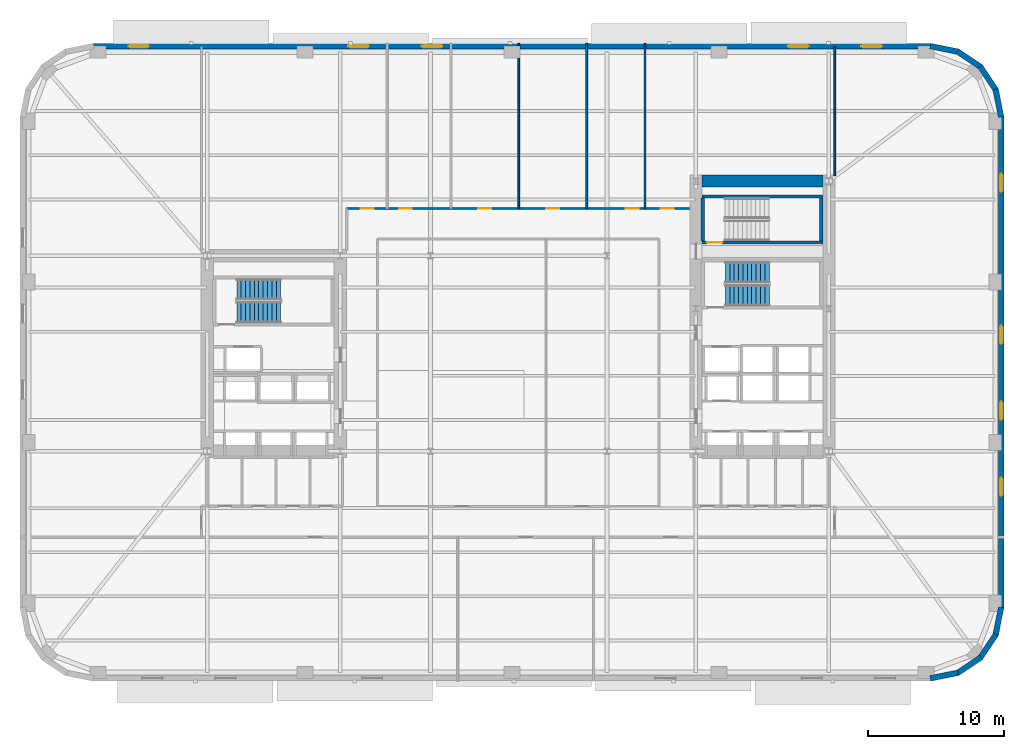
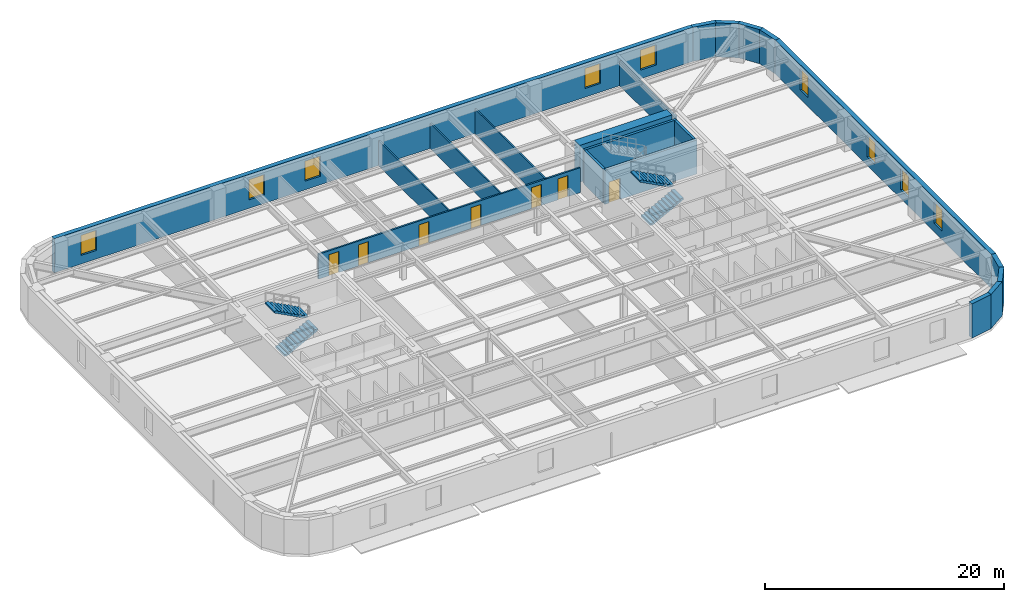
# One storey, part 7 of 15: 20 walls, 9 windows, 7 doors, 4 stair flights, 16 openings, 2 elements without a shape of their own.
"""IFC4 building model written with IfcOpenShell, lengths in metres."""

from ifc_helpers import new_model, si_unit, direction, frame, frame_2d, origin, place, context, subcontext, project, spatial, polyline, rectangle, outline, extrude, material, layer, layer_set, type_object, element, fill, aggregate, save


model = new_model("IFC4")

# Units and contexts
model_context = context("Model", 3, precision=1e-05, world=origin(), true_north=direction((0.0, 1.0)))
body_context = subcontext(model_context, "Body", "Model", "MODEL_VIEW")
ifc_project = project(units=[si_unit("LENGTHUNIT", "METRE"), si_unit("AREAUNIT", "SQUARE_METRE"), si_unit("VOLUMEUNIT", "CUBIC_METRE"), si_unit("PLANEANGLEUNIT", "RADIAN"), si_unit("MASSUNIT", "GRAM", prefix="KILO")], contexts=[model_context])

# Site, building, storey
site_placement = place(None, origin())
site = spatial("IfcSite", under=ifc_project, at=site_placement, CompositionType="ELEMENT")
building_placement = place(site_placement, origin())
building = spatial("IfcBuilding", under=site, at=building_placement, Name="Kolvaren Arena Tower", CompositionType="ELEMENT")
storey_placement = place(building_placement, frame((0.0, 0.0, 68.25)))
storey = spatial("IfcBuildingStorey", under=building, at=storey_placement, Name="L14", CompositionType="ELEMENT", Elevation=68.25)

# Wall, openings, doors
ifc_material_1 = material(Name="Gypsum board acoustic assembly", Category="gypsum")
ifc_layer_1 = layer(ifc_material_1, 0.159912109375)
ifc_layer_set_1 = layer_set([ifc_layer_1], Name="Gypsum board acoustic assembly")
wall_type_1 = type_object("IfcWallType", Name="CORR-160", PredefinedType="PARTITIONING", material=ifc_layer_set_1)
wall_1_placement = place(storey_placement, frame((24.820068359375, 37.320068359375, 0.0), z_axis=(0.0, 0.0, 1.0), x_axis=(1.0, 0.0, 0.0)))
wall_1 = element("IfcWall", 1, at=wall_1_placement, inside=storey, type_object=wall_type_1, Name="Interior Partition Wall (L14)", PredefinedType="PARTITIONING", context=body_context, shape_type="SweptSolid", body=[
    extrude(rectangle(XDim=25.260009765625, YDim=0.159912109375, at=frame_2d((12.6298828125, 0.0))), origin(), (0.0, 0.0, 1.0), 2.5400390625),
])
opening_1_placement = place(wall_1_placement, frame((1.030029296875, 0.0, 0.0)))
opening_1 = element("IfcOpeningElement", 2, at=opening_1_placement, cuts=wall_1, Name="Opening D05", PredefinedType="OPENING", context=body_context, shape_type="SweptSolid", body=[
    extrude(rectangle(XDim=0.949951171875, YDim=2.14990234375, at=frame_2d((0.47509765625, 1.074951171875))), frame((0.0, 0.08984375, 0.0), z_axis=(0.0, -1.0, 0.0), x_axis=(1.0, 0.0, 0.0)), (0.0, 0.0, 1.0), 0.179931640625),
])
opening_2_placement = place(wall_1_placement, frame((3.85498046875, 0.0, 0.0)))
opening_2 = element("IfcOpeningElement", 3, at=opening_2_placement, cuts=wall_1, Name="Opening D05", PredefinedType="OPENING", context=body_context, shape_type="SweptSolid", body=[
    extrude(rectangle(XDim=0.949951171875, YDim=2.14990234375, at=frame_2d((0.47509765625, 1.074951171875))), frame((0.0, 0.08984375, 0.0), z_axis=(0.0, -1.0, 0.0), x_axis=(1.0, 0.0, 0.0)), (0.0, 0.0, 1.0), 0.179931640625),
])
opening_3_placement = place(wall_1_placement, frame((9.705078125, 0.0, 0.0)))
opening_3 = element("IfcOpeningElement", 4, at=opening_3_placement, cuts=wall_1, Name="Opening D05", PredefinedType="OPENING", context=body_context, shape_type="SweptSolid", body=[
    extrude(rectangle(XDim=0.949951171875, YDim=2.14990234375, at=frame_2d((0.47509765625, 1.074951171875))), frame((0.0, 0.08984375, 0.0), z_axis=(0.0, -1.0, 0.0), x_axis=(1.0, 0.0, 0.0)), (0.0, 0.0, 1.0), 0.179931640625),
])
opening_4_placement = place(wall_1_placement, frame((14.705078125, 0.0, 0.0)))
opening_4 = element("IfcOpeningElement", 5, at=opening_4_placement, cuts=wall_1, Name="Opening D05", PredefinedType="OPENING", context=body_context, shape_type="SweptSolid", body=[
    extrude(rectangle(XDim=0.949951171875, YDim=2.14990234375, at=frame_2d((0.47509765625, 1.074951171875))), frame((0.0, 0.08984375, 0.0), z_axis=(0.0, -1.0, 0.0), x_axis=(1.0, 0.0, 0.0)), (0.0, 0.0, 1.0), 0.179931640625),
])
opening_5_placement = place(wall_1_placement, frame((20.554931640625, 0.0, 0.0)))
opening_5 = element("IfcOpeningElement", 6, at=opening_5_placement, cuts=wall_1, Name="Opening D05", PredefinedType="OPENING", context=body_context, shape_type="SweptSolid", body=[
    extrude(rectangle(XDim=0.949951171875, YDim=2.14990234375, at=frame_2d((0.47509765625, 1.074951171875))), frame((0.0, 0.08984375, 0.0), z_axis=(0.0, -1.0, 0.0), x_axis=(1.0, 0.0, 0.0)), (0.0, 0.0, 1.0), 0.179931640625),
])
opening_6_placement = place(wall_1_placement, frame((23.1298828125, 0.0, 0.0)))
opening_6 = element("IfcOpeningElement", 7, at=opening_6_placement, cuts=wall_1, Name="Opening D05", PredefinedType="OPENING", context=body_context, shape_type="SweptSolid", body=[
    extrude(rectangle(XDim=0.949951171875, YDim=2.14990234375, at=frame_2d((0.47509765625, 1.074951171875))), frame((0.0, 0.08984375, 0.0), z_axis=(0.0, -1.0, 0.0), x_axis=(1.0, 0.0, 0.0)), (0.0, 0.0, 1.0), 0.179931640625),
])
ifc_material_2 = material(Name="Solid-core oak acoustic office door", Category="wood")
door_type_1 = type_object("IfcDoorType", Name="DOOR-OF-095", OperationType="NOTDEFINED", PredefinedType="DOOR", material=ifc_material_2)
door_1_placement = place(opening_1_placement, origin())
door_1 = element("IfcDoor", 8, at=door_1_placement, inside=storey, type_object=door_type_1, Name="Technical Engineering Office Door (L14)", OperationType="SINGLE_SWING_LEFT", OverallHeight=2.14990234375, OverallWidth=0.949951171875, PredefinedType="DOOR", context=body_context, shape_type="SweptSolid", body=[
    extrude(rectangle(XDim=0.949951171875, YDim=2.14990234375, at=frame_2d((0.47509765625, 1.074951171875))), frame((0.0, 0.02490234375, 0.0), z_axis=(0.0, -1.0, 0.0), x_axis=(1.0, 0.0, 0.0)), (0.0, 0.0, 1.0), 0.050048828125),
])
fill(opening_1, door_1)
door_2_placement = place(opening_2_placement, origin())
door_2 = element("IfcDoor", 9, at=door_2_placement, inside=storey, type_object=door_type_1, Name="Boardroom Door (L14)", OperationType="SINGLE_SWING_RIGHT", OverallHeight=2.14990234375, OverallWidth=0.949951171875, PredefinedType="DOOR", context=body_context, shape_type="SweptSolid", body=[
    extrude(rectangle(XDim=0.949951171875, YDim=2.14990234375, at=frame_2d((0.47509765625, 1.074951171875))), frame((0.0, 0.02490234375, 0.0), z_axis=(0.0, -1.0, 0.0), x_axis=(1.0, 0.0, 0.0)), (0.0, 0.0, 1.0), 0.050048828125),
])
fill(opening_2, door_2)
door_3_placement = place(opening_3_placement, origin())
door_3 = element("IfcDoor", 10, at=door_3_placement, inside=storey, type_object=door_type_1, Name="Breakout Pantry and Kitchen Door (L14)", OperationType="SINGLE_SWING_LEFT", OverallHeight=2.14990234375, OverallWidth=0.949951171875, PredefinedType="DOOR", context=body_context, shape_type="SweptSolid", body=[
    extrude(rectangle(XDim=0.949951171875, YDim=2.14990234375, at=frame_2d((0.47509765625, 1.074951171875))), frame((0.0, 0.02490234375, 0.0), z_axis=(0.0, -1.0, 0.0), x_axis=(1.0, 0.0, 0.0)), (0.0, 0.0, 1.0), 0.050048828125),
])
fill(opening_3, door_3)
door_4_placement = place(opening_4_placement, origin())
door_4 = element("IfcDoor", 11, at=door_4_placement, inside=storey, type_object=door_type_1, Name="Executive Office Door (L14)", OperationType="SINGLE_SWING_RIGHT", OverallHeight=2.14990234375, OverallWidth=0.949951171875, PredefinedType="DOOR", context=body_context, shape_type="SweptSolid", body=[
    extrude(rectangle(XDim=0.949951171875, YDim=2.14990234375, at=frame_2d((0.47509765625, 1.074951171875))), frame((0.0, 0.02490234375, 0.0), z_axis=(0.0, -1.0, 0.0), x_axis=(1.0, 0.0, 0.0)), (0.0, 0.0, 1.0), 0.050048828125),
])
fill(opening_4, door_4)
door_5_placement = place(opening_5_placement, origin())
door_5 = element("IfcDoor", 12, at=door_5_placement, inside=storey, type_object=door_type_1, Name="Client Lounge Door (L14)", OperationType="SINGLE_SWING_LEFT", OverallHeight=2.14990234375, OverallWidth=0.949951171875, PredefinedType="DOOR", context=body_context, shape_type="SweptSolid", body=[
    extrude(rectangle(XDim=0.949951171875, YDim=2.14990234375, at=frame_2d((0.47509765625, 1.074951171875))), frame((0.0, 0.02490234375, 0.0), z_axis=(0.0, -1.0, 0.0), x_axis=(1.0, 0.0, 0.0)), (0.0, 0.0, 1.0), 0.050048828125),
])
fill(opening_5, door_5)
door_6_placement = place(opening_6_placement, origin())
door_6 = element("IfcDoor", 13, at=door_6_placement, inside=storey, type_object=door_type_1, Name="Executive Office Door (L14)", OperationType="SINGLE_SWING_RIGHT", OverallHeight=2.14990234375, OverallWidth=0.949951171875, PredefinedType="DOOR", context=body_context, shape_type="SweptSolid", body=[
    extrude(rectangle(XDim=0.949951171875, YDim=2.14990234375, at=frame_2d((0.47509765625, 1.074951171875))), frame((0.0, 0.02490234375, 0.0), z_axis=(0.0, -1.0, 0.0), x_axis=(1.0, 0.0, 0.0)), (0.0, 0.0, 1.0), 0.050048828125),
])
fill(opening_6, door_6)

# Walls
ifc_material_3 = material(Name="Concrete 80 MPa", Category="concrete")
ifc_layer_2 = layer(ifc_material_3, 0.89990234375)
ifc_layer_set_2 = layer_set([ifc_layer_2], Name="Concrete 80 MPa")
wall_type_2 = type_object("IfcWallType", Name="CWALL-900", PredefinedType="SHEAR", material=ifc_layer_set_2)
wall_2_placement = place(storey_placement, frame((51.0, 39.35009765625, -0.27001953125), z_axis=(0.0, 0.0, 1.0), x_axis=(1.0, 0.0, 0.0)))
element("IfcWall", 14, at=wall_2_placement, inside=storey, type_object=wall_type_2, Name="Core Shear Wall EC-NORTH (L14)", PredefinedType="SHEAR", context=body_context, shape_type="SweptSolid", body=[
    extrude(rectangle(XDim=8.89990234375, YDim=0.89990234375, at=frame_2d((4.449951171875, 0.0))), origin(), (0.0, 0.0, 1.0), 3.75),
])
ifc_material_4 = material(Name="Precast concrete C50/60", Category="concrete")
ifc_layer_3 = layer(ifc_material_4, 0.419921875)
ifc_layer_set_3 = layer_set([ifc_layer_3], Name="Precast concrete C50/60")
wall_type_3 = type_object("IfcWallType", Name="EXT-PIER1", PredefinedType="SOLIDWALL", material=ifc_layer_set_3)
for number, where, z_axis, x_axis, name in (
    (15, (69.87548828125, 3.1171875, 0.0), (0.0, 0.0, 1.0), (-0.9807762837, -0.195135546048, 0.0), "Exterior Precast Masonry-Frame Wall (L14)"),
    (16, (71.5517578125, 4.256103515625, 0.0), (0.0, 0.0, 1.0), (-0.831515102434, -0.555502146192, 0.0), "Exterior Precast Masonry-Frame Wall (L14)"),
    (17, (72.664306640625, 5.9501953125, 0.0), (0.0, 0.0, 1.0), (-0.555502146192, -0.831515102434, 0.0), "Exterior Precast Masonry-Frame Wall (L14)"),
    (18, (73.0439453125, 7.94091796875, 0.0), (0.0, 0.0, 1.0), (-0.195135546048, -0.9807762837, 0.0), "Exterior Precast Masonry-Frame Wall (L14)"),
):
    element("IfcWall", number, at=place(storey_placement, frame(where, z_axis=z_axis, x_axis=x_axis)), inside=storey, type_object=wall_type_3, Name=name, PredefinedType="SOLIDWALL", context=body_context, shape_type="SweptSolid", body=[
        extrude(rectangle(XDim=2.10693359375, YDim=0.419921875, at=frame_2d((1.053466796875, 0.0))), origin(), (0.0, 0.0, 1.0), 3.47998046875),
    ])

# Wall, openings, windows
wall_3_placement = place(storey_placement, frame((73.0400390625, 44.10009765625, 0.0), z_axis=(0.0, 0.0, 1.0), x_axis=(0.0, -1.0, 0.0)))
wall_3 = element("IfcWall", 19, at=wall_3_placement, inside=storey, type_object=wall_type_3, Name="Exterior Precast Masonry-Frame Wall (L14)", PredefinedType="SOLIDWALL", context=body_context, shape_type="SweptSolid", body=[
    extrude(rectangle(XDim=36.2001953125, YDim=0.419921875, at=frame_2d((18.10009765625, 0.0))), origin(), (0.0, 0.0, 1.0), 3.47998046875),
])
opening_7_placement = place(wall_3_placement, frame((4.199951171875, 0.0, 0.8798828125)))
opening_7 = element("IfcOpeningElement", 20, at=opening_7_placement, cuts=wall_3, Name="Opening W04", PredefinedType="OPENING", context=body_context, shape_type="SweptSolid", body=[
    extrude(rectangle(XDim=1.35009765625, YDim=2.199951171875, at=frame_2d((0.675048828125, 1.10009765625))), frame((0.0, 0.219970703125, 0.0), z_axis=(0.0, -1.0, 0.0), x_axis=(1.0, 0.0, 0.0)), (0.0, 0.0, 1.0), 0.43994140625),
])
opening_8_placement = place(wall_3_placement, frame((15.39990234375, 0.0, 0.8798828125)))
opening_8 = element("IfcOpeningElement", 21, at=opening_8_placement, cuts=wall_3, Name="Opening W04", PredefinedType="OPENING", context=body_context, shape_type="SweptSolid", body=[
    extrude(rectangle(XDim=1.35009765625, YDim=2.199951171875, at=frame_2d((0.675048828125, 1.10009765625))), frame((0.0, 0.219970703125, 0.0), z_axis=(0.0, -1.0, 0.0), x_axis=(1.0, 0.0, 0.0)), (0.0, 0.0, 1.0), 0.43994140625),
])
opening_9_placement = place(wall_3_placement, frame((21.0, 0.0, 0.8798828125)))
opening_9 = element("IfcOpeningElement", 22, at=opening_9_placement, cuts=wall_3, Name="Opening W04", PredefinedType="OPENING", context=body_context, shape_type="SweptSolid", body=[
    extrude(rectangle(XDim=1.35009765625, YDim=2.199951171875, at=frame_2d((0.675048828125, 1.10009765625))), frame((0.0, 0.219970703125, 0.0), z_axis=(0.0, -1.0, 0.0), x_axis=(1.0, 0.0, 0.0)), (0.0, 0.0, 1.0), 0.43994140625),
])
opening_10_placement = place(wall_3_placement, frame((26.60009765625, 0.0, 0.8798828125)))
opening_10 = element("IfcOpeningElement", 23, at=opening_10_placement, cuts=wall_3, Name="Opening W04", PredefinedType="OPENING", context=body_context, shape_type="SweptSolid", body=[
    extrude(rectangle(XDim=1.35009765625, YDim=2.199951171875, at=frame_2d((0.675048828125, 1.10009765625))), frame((0.0, 0.219970703125, 0.0), z_axis=(0.0, -1.0, 0.0), x_axis=(1.0, 0.0, 0.0)), (0.0, 0.0, 1.0), 0.43994140625),
])
ifc_material_5 = material(Name="Triple-glazed curved-facet corner window", Category="glass")
window_type_1 = type_object("IfcWindowType", Name="WIN-CRN-A", PartitioningType="SINGLE_PANEL", PredefinedType="WINDOW", material=ifc_material_5)
window_1_placement = place(opening_7_placement, origin())
window_1 = element("IfcWindow", 24, at=window_1_placement, inside=storey, type_object=window_type_1, Name="End-Wall Punched Window (L14)", OverallHeight=2.199951171875, OverallWidth=1.35009765625, PartitioningType="SINGLE_PANEL", PredefinedType="WINDOW", context=body_context, shape_type="SweptSolid", body=[
    extrude(rectangle(XDim=1.35009765625, YDim=2.199951171875, at=frame_2d((0.675048828125, 1.10009765625))), frame((0.0, 0.030029296875, 0.0), z_axis=(0.0, -1.0, 0.0), x_axis=(1.0, 0.0, 0.0)), (0.0, 0.0, 1.0), 0.06005859375),
])
fill(opening_7, window_1)
window_2_placement = place(opening_8_placement, origin())
window_2 = element("IfcWindow", 25, at=window_2_placement, inside=storey, type_object=window_type_1, Name="End-Wall Punched Window (L14)", OverallHeight=2.199951171875, OverallWidth=1.35009765625, PartitioningType="SINGLE_PANEL", PredefinedType="WINDOW", context=body_context, shape_type="SweptSolid", body=[
    extrude(rectangle(XDim=1.35009765625, YDim=2.199951171875, at=frame_2d((0.675048828125, 1.10009765625))), frame((0.0, 0.030029296875, 0.0), z_axis=(0.0, -1.0, 0.0), x_axis=(1.0, 0.0, 0.0)), (0.0, 0.0, 1.0), 0.06005859375),
])
fill(opening_8, window_2)
window_3_placement = place(opening_9_placement, origin())
window_3 = element("IfcWindow", 26, at=window_3_placement, inside=storey, type_object=window_type_1, Name="End-Wall Punched Window (L14)", OverallHeight=2.199951171875, OverallWidth=1.35009765625, PartitioningType="SINGLE_PANEL", PredefinedType="WINDOW", context=body_context, shape_type="SweptSolid", body=[
    extrude(rectangle(XDim=1.35009765625, YDim=2.199951171875, at=frame_2d((0.675048828125, 1.10009765625))), frame((0.0, 0.030029296875, 0.0), z_axis=(0.0, -1.0, 0.0), x_axis=(1.0, 0.0, 0.0)), (0.0, 0.0, 1.0), 0.06005859375),
])
fill(opening_9, window_3)
window_4_placement = place(opening_10_placement, origin())
window_4 = element("IfcWindow", 27, at=window_4_placement, inside=storey, type_object=window_type_1, Name="End-Wall Punched Window (L14)", OverallHeight=2.199951171875, OverallWidth=1.35009765625, PartitioningType="SINGLE_PANEL", PredefinedType="WINDOW", context=body_context, shape_type="SweptSolid", body=[
    extrude(rectangle(XDim=1.35009765625, YDim=2.199951171875, at=frame_2d((0.675048828125, 1.10009765625))), frame((0.0, 0.030029296875, 0.0), z_axis=(0.0, -1.0, 0.0), x_axis=(1.0, 0.0, 0.0)), (0.0, 0.0, 1.0), 0.06005859375),
])
fill(opening_10, window_4)

# Walls
for number, where, z_axis, x_axis, name in (
    (28, (72.6328125, 46.12548828125, 0.0), (0.0, 0.0, 1.0), (0.195135546048, -0.9807762837, 0.0), "Exterior Precast Masonry-Frame Wall (L14)"),
    (29, (71.493896484375, 47.8017578125, 0.0), (0.0, 0.0, 1.0), (0.555502146192, -0.831515102434, 0.0), "Exterior Precast Masonry-Frame Wall (L14)"),
    (30, (69.7998046875, 48.914306640625, 0.0), (0.0, 0.0, 1.0), (0.831515102434, -0.555502146192, 0.0), "Exterior Precast Masonry-Frame Wall (L14)"),
    (31, (67.80908203125, 49.2939453125, 0.0), (0.0, 0.0, 1.0), (0.9807762837, -0.195135546048, 0.0), "Exterior Precast Masonry-Frame Wall (L14)"),
):
    element("IfcWall", number, at=place(storey_placement, frame(where, z_axis=z_axis, x_axis=x_axis)), inside=storey, type_object=wall_type_3, Name=name, PredefinedType="SOLIDWALL", context=body_context, shape_type="SweptSolid", body=[
        extrude(rectangle(XDim=2.10693359375, YDim=0.419921875, at=frame_2d((1.053466796875, 0.0))), origin(), (0.0, 0.0, 1.0), 3.47998046875),
    ])

# Wall, openings, windows
wall_4_placement = place(storey_placement, frame((6.14990234375, 49.2900390625, 0.0), z_axis=(0.0, 0.0, 1.0), x_axis=(1.0, 0.0, 0.0)))
wall_4 = element("IfcWall", 32, at=wall_4_placement, inside=storey, type_object=wall_type_3, Name="Exterior Precast Masonry-Frame Wall (L14)", PredefinedType="SOLIDWALL", context=body_context, shape_type="SweptSolid", body=[
    extrude(rectangle(XDim=61.7001953125, YDim=0.419921875, at=frame_2d((30.85009765625, 0.0))), origin(), (0.0, 0.0, 1.0), 3.47998046875),
])
opening_11_placement = place(wall_4_placement, frame((2.60009765625, 0.0, 0.8798828125)))
opening_11 = element("IfcOpeningElement", 33, at=opening_11_placement, cuts=wall_4, Name="Opening W03", PredefinedType="OPENING", context=body_context, shape_type="SweptSolid", body=[
    extrude(rectangle(XDim=1.5, YDim=2.050048828125, at=frame_2d((0.75, 1.02490234375))), frame((0.0, 0.219970703125, 0.0), z_axis=(0.0, -1.0, 0.0), x_axis=(1.0, 0.0, 0.0)), (0.0, 0.0, 1.0), 0.43994140625),
])
opening_12_placement = place(wall_4_placement, frame((18.800048828125, 0.0, 0.8798828125)))
opening_12 = element("IfcOpeningElement", 34, at=opening_12_placement, cuts=wall_4, Name="Opening W03", PredefinedType="OPENING", context=body_context, shape_type="SweptSolid", body=[
    extrude(rectangle(XDim=1.5, YDim=2.050048828125, at=frame_2d((0.75, 1.02490234375))), frame((0.0, 0.219970703125, 0.0), z_axis=(0.0, -1.0, 0.0), x_axis=(1.0, 0.0, 0.0)), (0.0, 0.0, 1.0), 0.43994140625),
])
opening_13_placement = place(wall_4_placement, frame((24.199951171875, 0.0, 0.8798828125)))
opening_13 = element("IfcOpeningElement", 35, at=opening_13_placement, cuts=wall_4, Name="Opening W03", PredefinedType="OPENING", context=body_context, shape_type="SweptSolid", body=[
    extrude(rectangle(XDim=1.5, YDim=2.050048828125, at=frame_2d((0.75, 1.02490234375))), frame((0.0, 0.219970703125, 0.0), z_axis=(0.0, -1.0, 0.0), x_axis=(1.0, 0.0, 0.0)), (0.0, 0.0, 1.0), 0.43994140625),
])
opening_14_placement = place(wall_4_placement, frame((51.199951171875, 0.0, 0.8798828125)))
opening_14 = element("IfcOpeningElement", 36, at=opening_14_placement, cuts=wall_4, Name="Opening W03", PredefinedType="OPENING", context=body_context, shape_type="SweptSolid", body=[
    extrude(rectangle(XDim=1.5, YDim=2.050048828125, at=frame_2d((0.75, 1.02490234375))), frame((0.0, 0.219970703125, 0.0), z_axis=(0.0, -1.0, 0.0), x_axis=(1.0, 0.0, 0.0)), (0.0, 0.0, 1.0), 0.43994140625),
])
opening_15_placement = place(wall_4_placement, frame((56.60009765625, 0.0, 0.8798828125)))
opening_15 = element("IfcOpeningElement", 37, at=opening_15_placement, cuts=wall_4, Name="Opening W03", PredefinedType="OPENING", context=body_context, shape_type="SweptSolid", body=[
    extrude(rectangle(XDim=1.5, YDim=2.050048828125, at=frame_2d((0.75, 1.02490234375))), frame((0.0, 0.219970703125, 0.0), z_axis=(0.0, -1.0, 0.0), x_axis=(1.0, 0.0, 0.0)), (0.0, 0.0, 1.0), 0.43994140625),
])
ifc_material_6 = material(Name="Triple-glazed low-E aluminium window", Category="aluminium")
window_type_2 = type_object("IfcWindowType", Name="WIN-OFF-C", PartitioningType="SINGLE_PANEL", PredefinedType="WINDOW", material=ifc_material_6)
window_5_placement = place(opening_11_placement, origin())
window_5 = element("IfcWindow", 38, at=window_5_placement, inside=storey, type_object=window_type_2, Name="Punched Precast-Pier Window (L14)", OverallHeight=2.050048828125, OverallWidth=1.5, PartitioningType="SINGLE_PANEL", PredefinedType="WINDOW", context=body_context, shape_type="SweptSolid", body=[
    extrude(rectangle(XDim=1.5, YDim=2.050048828125, at=frame_2d((0.75, 1.02490234375))), frame((0.0, 0.030029296875, 0.0), z_axis=(0.0, -1.0, 0.0), x_axis=(1.0, 0.0, 0.0)), (0.0, 0.0, 1.0), 0.06005859375),
])
fill(opening_11, window_5)
window_6_placement = place(opening_12_placement, origin())
window_6 = element("IfcWindow", 39, at=window_6_placement, inside=storey, type_object=window_type_2, Name="Punched Precast-Pier Window (L14)", OverallHeight=2.050048828125, OverallWidth=1.5, PartitioningType="SINGLE_PANEL", PredefinedType="WINDOW", context=body_context, shape_type="SweptSolid", body=[
    extrude(rectangle(XDim=1.5, YDim=2.050048828125, at=frame_2d((0.75, 1.02490234375))), frame((0.0, 0.030029296875, 0.0), z_axis=(0.0, -1.0, 0.0), x_axis=(1.0, 0.0, 0.0)), (0.0, 0.0, 1.0), 0.06005859375),
])
fill(opening_12, window_6)
window_7_placement = place(opening_13_placement, origin())
window_7 = element("IfcWindow", 40, at=window_7_placement, inside=storey, type_object=window_type_2, Name="Punched Precast-Pier Window (L14)", OverallHeight=2.050048828125, OverallWidth=1.5, PartitioningType="SINGLE_PANEL", PredefinedType="WINDOW", context=body_context, shape_type="SweptSolid", body=[
    extrude(rectangle(XDim=1.5, YDim=2.050048828125, at=frame_2d((0.75, 1.02490234375))), frame((0.0, 0.030029296875, 0.0), z_axis=(0.0, -1.0, 0.0), x_axis=(1.0, 0.0, 0.0)), (0.0, 0.0, 1.0), 0.06005859375),
])
fill(opening_13, window_7)
window_8_placement = place(opening_14_placement, origin())
window_8 = element("IfcWindow", 41, at=window_8_placement, inside=storey, type_object=window_type_2, Name="Punched Precast-Pier Window (L14)", OverallHeight=2.050048828125, OverallWidth=1.5, PartitioningType="SINGLE_PANEL", PredefinedType="WINDOW", context=body_context, shape_type="SweptSolid", body=[
    extrude(rectangle(XDim=1.5, YDim=2.050048828125, at=frame_2d((0.75, 1.02490234375))), frame((0.0, 0.030029296875, 0.0), z_axis=(0.0, -1.0, 0.0), x_axis=(1.0, 0.0, 0.0)), (0.0, 0.0, 1.0), 0.06005859375),
])
fill(opening_14, window_8)
window_9_placement = place(opening_15_placement, origin())
window_9 = element("IfcWindow", 42, at=window_9_placement, inside=storey, type_object=window_type_2, Name="Punched Precast-Pier Window (L14)", OverallHeight=2.050048828125, OverallWidth=1.5, PartitioningType="SINGLE_PANEL", PredefinedType="WINDOW", context=body_context, shape_type="SweptSolid", body=[
    extrude(rectangle(XDim=1.5, YDim=2.050048828125, at=frame_2d((0.75, 1.02490234375))), frame((0.0, 0.030029296875, 0.0), z_axis=(0.0, -1.0, 0.0), x_axis=(1.0, 0.0, 0.0)), (0.0, 0.0, 1.0), 0.06005859375),
])
fill(opening_15, window_9)

# Walls
ifc_material_7 = material(Name="Gypsum board partition assembly", Category="gypsum")
ifc_layer_4 = layer(ifc_material_7, 0.135009765625)
ifc_layer_set_4 = layer_set([ifc_layer_4], Name="Gypsum board partition assembly")
wall_type_4 = type_object("IfcWallType", Name="PART-135", PredefinedType="PARTITIONING", material=ifc_layer_set_4)
for number, where, z_axis, x_axis, name in (
    (43, (37.5, 37.320068359375, 0.0), (0.0, 0.0, 1.0), (0.0, 1.0, 0.0), "Interior Partition Wall (L14)"),
    (44, (42.5, 37.320068359375, 0.0), (0.0, 0.0, 1.0), (0.0, 1.0, 0.0), "Interior Partition Wall (L14)"),
    (45, (46.800048828125, 37.320068359375, 0.0), (0.0, 0.0, 1.0), (0.0, 1.0, 0.0), "Interior Partition Wall (L14)"),
):
    element("IfcWall", number, at=place(storey_placement, frame(where, z_axis=z_axis, x_axis=x_axis)), inside=storey, type_object=wall_type_4, Name=name, PredefinedType="PARTITIONING", context=body_context, shape_type="SweptSolid", body=[
        extrude(rectangle(XDim=12.179931640625, YDim=0.135009765625, at=frame_2d((6.08984375, 0.0))), origin(), (0.0, 0.0, 1.0), 2.5400390625),
    ])
wall_5_placement = place(storey_placement, frame((60.780029296875, 39.75, 0.0), z_axis=(0.0, 0.0, 1.0), x_axis=(0.0, 1.0, 0.0)))
element("IfcWall", 46, at=wall_5_placement, inside=storey, type_object=wall_type_4, Name="Interior Partition Wall (L14)", PredefinedType="PARTITIONING", context=body_context, shape_type="SweptSolid", body=[
    extrude(rectangle(XDim=9.510009765625, YDim=0.135009765625, at=frame_2d((4.7548828125, 0.0))), origin(), (0.0, 0.0, 1.0), 2.5400390625),
])

# Wall, opening, door
ifc_material_8 = material(Name="Concrete 45 MPa", Category="concrete")
ifc_layer_5 = layer(ifc_material_8, 0.25)
ifc_layer_set_5 = layer_set([ifc_layer_5], Name="Concrete 45 MPa")
wall_type_5 = type_object("IfcWallType", Name="SHAFT-250", PredefinedType="SOLIDWALL", material=ifc_layer_set_5)
wall_6_placement = place(storey_placement, frame((59.89990234375, 34.830078125, 0.0), z_axis=(0.0, 0.0, 1.0), x_axis=(-1.0, 0.0, 0.0)))
wall_6 = element("IfcWall", 47, at=wall_6_placement, inside=storey, type_object=wall_type_5, Name="Core Shaft Wall (L14)", PredefinedType="SOLIDWALL", context=body_context, shape_type="SweptSolid", body=[
    extrude(rectangle(XDim=8.89990234375, YDim=0.239990234375, at=frame_2d((4.449951171875, 0.0))), origin(), (0.0, 0.0, 1.0), 3.47998046875),
])
opening_16_placement = place(wall_6_placement, frame((7.419921875, 0.0, 0.0)))
opening_16 = element("IfcOpeningElement", 48, at=opening_16_placement, cuts=wall_6, Name="Opening D03", PredefinedType="OPENING", context=body_context, shape_type="SweptSolid", body=[
    extrude(rectangle(XDim=1.10009765625, YDim=2.14990234375, at=frame_2d((0.550048828125, 1.074951171875))), frame((0.0, 0.1298828125, 0.0), z_axis=(0.0, -1.0, 0.0), x_axis=(1.0, 0.0, 0.0)), (0.0, 0.0, 1.0), 0.260009765625),
])
ifc_material_9 = material(Name="Fire-rated steel exit stair door", Category="steel")
door_type_2 = type_object("IfcDoorType", Name="DOOR-ST-110", OperationType="NOTDEFINED", PredefinedType="DOOR", material=ifc_material_9)
door_7_placement = place(opening_16_placement, origin())
door_7 = element("IfcDoor", 49, at=door_7_placement, inside=storey, type_object=door_type_2, Name="Stair ST-E2 Fire Door (L14)", OperationType="SINGLE_SWING_LEFT", OverallHeight=2.14990234375, OverallWidth=1.10009765625, PredefinedType="DOOR", context=body_context, shape_type="SweptSolid", body=[
    extrude(rectangle(XDim=1.10009765625, YDim=2.14990234375, at=frame_2d((0.550048828125, 1.074951171875))), frame((0.0, 0.02490234375, 0.0), z_axis=(0.0, -1.0, 0.0), x_axis=(1.0, 0.0, 0.0)), (0.0, 0.0, 1.0), 0.050048828125),
])
fill(opening_16, door_7)

# Walls
wall_7_placement = place(storey_placement, frame((51.0, 38.219970703125, 0.0), z_axis=(0.0, 0.0, 1.0), x_axis=(1.0, 0.0, 0.0)))
element("IfcWall", 50, at=wall_7_placement, inside=storey, type_object=wall_type_5, Name="Core Shaft Wall (L14)", PredefinedType="SOLIDWALL", context=body_context, shape_type="SweptSolid", body=[
    extrude(rectangle(XDim=8.89990234375, YDim=0.239990234375, at=frame_2d((4.449951171875, 0.0))), origin(), (0.0, 0.0, 1.0), 3.47998046875),
])
for number, where, z_axis, x_axis, name in (
    (51, (51.06005859375, 34.949951171875, 0.0), (0.0, 0.0, 1.0), (0.0, 1.0, 0.0), "Core Shaft Wall (L14)"),
    (52, (59.780029296875, 34.949951171875, 0.0), (0.0, 0.0, 1.0), (0.0, 1.0, 0.0), "Core Shaft Wall (L14)"),
):
    element("IfcWall", number, at=place(storey_placement, frame(where, z_axis=z_axis, x_axis=x_axis)), inside=storey, type_object=wall_type_5, Name=name, PredefinedType="SOLIDWALL", context=body_context, shape_type="SweptSolid", body=[
        extrude(rectangle(XDim=3.150146484375, YDim=0.239990234375, at=frame_2d((1.5751953125, 0.0))), origin(), (0.0, 0.0, 1.0), 3.47998046875),
    ])

# Stair, stair flights
stair_type = type_object("IfcStairType", Name="STAIR-CORE-165", PredefinedType="HALF_TURN_STAIR", material=ifc_material_8)
stair_1_placement = place(storey_placement, origin())
stair_1 = element("IfcStair", 53, at=stair_1_placement, inside=storey, type_object=stair_type, Name="L14 ST-W1", PredefinedType="HALF_TURN_STAIR")
stair_flight_type = type_object("IfcStairFlightType", Name="FLT-165", PredefinedType="STRAIGHT", material=ifc_material_8)
stair_flight_1_placement = place(storey_placement, frame((16.719970703125, 29.669921875, 0.0), z_axis=(0.0, 0.0, 1.0), x_axis=(1.0, 0.0, 0.0)))
stair_flight_1 = element("IfcStairFlight", 54, at=stair_flight_1_placement, type_object=stair_flight_type, Name="ST-W1 flight 1", NumberOfRisers=11, NumberOfTreads=10, PredefinedType="STRAIGHT", RiserHeight=0.170454545, TreadLength=0.324, context=body_context, shape_type="SweptSolid", body=[
    extrude(outline(polyline([(0.0, 0.0), (0.0, 0.17041015625), (0.323974609375, 0.17041015625), (0.323974609375, 0.3408203125), (0.64794921875, 0.3408203125), (0.64794921875, 0.511474609375), (0.971923828125, 0.511474609375), (0.971923828125, 0.681884765625), (1.2958984375, 0.681884765625), (1.2958984375, 0.852294921875), (1.6201171875, 0.852294921875), (1.6201171875, 1.022705078125), (1.944091796875, 1.022705078125), (1.944091796875, 1.193115234375), (2.26806640625, 1.193115234375), (2.26806640625, 1.363525390625), (2.592041015625, 1.363525390625), (2.592041015625, 1.5341796875), (2.916015625, 1.5341796875), (2.916015625, 1.70458984375), (3.239990234375, 1.70458984375), (3.239990234375, 1.875), (3.239990234375, 1.53515625), (0.322021484375, 0.0), (0.0, 0.0)])), frame((0.0, 0.77001953125, 0.0), z_axis=(0.0, -1.0, 0.0), x_axis=(1.0, 0.0, 0.0)), (0.0, 0.0, 1.0), 1.5400390625),
])
stair_flight_2_placement = place(storey_placement, frame((19.9599609375, 31.360107421875, 1.875), z_axis=(0.0, 0.0, 1.0), x_axis=(-1.0, 0.0, 0.0)))
stair_flight_2 = element("IfcStairFlight", 55, at=stair_flight_2_placement, type_object=stair_flight_type, Name="ST-W1 flight 2", NumberOfRisers=11, NumberOfTreads=10, PredefinedType="STRAIGHT", RiserHeight=0.170454545, TreadLength=0.324, context=body_context, shape_type="SweptSolid", body=[
    extrude(outline(polyline([(0.0, 0.0), (0.0, 0.17041015625), (0.323974609375, 0.17041015625), (0.323974609375, 0.3408203125), (0.64794921875, 0.3408203125), (0.64794921875, 0.511474609375), (0.971923828125, 0.511474609375), (0.971923828125, 0.681884765625), (1.2958984375, 0.681884765625), (1.2958984375, 0.852294921875), (1.6201171875, 0.852294921875), (1.6201171875, 1.022705078125), (1.944091796875, 1.022705078125), (1.944091796875, 1.193115234375), (2.26806640625, 1.193115234375), (2.26806640625, 1.363525390625), (2.592041015625, 1.363525390625), (2.592041015625, 1.5341796875), (2.916015625, 1.5341796875), (2.916015625, 1.70458984375), (3.239990234375, 1.70458984375), (3.239990234375, 1.875), (3.239990234375, 1.53515625), (0.322021484375, 0.0), (0.0, 0.0)])), frame((0.0, 0.77001953125, 0.0), z_axis=(0.0, -1.0, 0.0), x_axis=(1.0, 0.0, 0.0)), (0.0, 0.0, 1.0), 1.5400390625),
])
aggregate(stair_1, [stair_flight_1, stair_flight_2])

stair_2_placement = place(storey_placement, origin())
stair_2 = element("IfcStair", 56, at=stair_2_placement, inside=storey, type_object=stair_type, Name="L14 ST-E1", PredefinedType="HALF_TURN_STAIR")
stair_flight_3_placement = place(storey_placement, frame((52.719970703125, 30.919921875, 0.0), z_axis=(0.0, 0.0, 1.0), x_axis=(1.0, 0.0, 0.0)))
stair_flight_3 = element("IfcStairFlight", 57, at=stair_flight_3_placement, type_object=stair_flight_type, Name="ST-E1 flight 1", NumberOfRisers=11, NumberOfTreads=10, PredefinedType="STRAIGHT", RiserHeight=0.170454545, TreadLength=0.324, context=body_context, shape_type="SweptSolid", body=[
    extrude(outline(polyline([(0.0, 0.0), (0.0, 0.17041015625), (0.323974609375, 0.17041015625), (0.323974609375, 0.3408203125), (0.64794921875, 0.3408203125), (0.64794921875, 0.511474609375), (0.971923828125, 0.511474609375), (0.971923828125, 0.681884765625), (1.2958984375, 0.681884765625), (1.2958984375, 0.852294921875), (1.6201171875, 0.852294921875), (1.6201171875, 1.022705078125), (1.944091796875, 1.022705078125), (1.944091796875, 1.193115234375), (2.26806640625, 1.193115234375), (2.26806640625, 1.363525390625), (2.592041015625, 1.363525390625), (2.592041015625, 1.5341796875), (2.916015625, 1.5341796875), (2.916015625, 1.70458984375), (3.239990234375, 1.70458984375), (3.239990234375, 1.875), (3.239990234375, 1.53515625), (0.322021484375, 0.0), (0.0, 0.0)])), frame((0.0, 0.77001953125, 0.0), z_axis=(0.0, -1.0, 0.0), x_axis=(1.0, 0.0, 0.0)), (0.0, 0.0, 1.0), 1.5400390625),
])
stair_flight_4_placement = place(storey_placement, frame((55.9599609375, 32.610107421875, 1.875), z_axis=(0.0, 0.0, 1.0), x_axis=(-1.0, 0.0, 0.0)))
stair_flight_4 = element("IfcStairFlight", 58, at=stair_flight_4_placement, type_object=stair_flight_type, Name="ST-E1 flight 2", NumberOfRisers=11, NumberOfTreads=10, PredefinedType="STRAIGHT", RiserHeight=0.170454545, TreadLength=0.324, context=body_context, shape_type="SweptSolid", body=[
    extrude(outline(polyline([(0.0, 0.0), (0.0, 0.17041015625), (0.323974609375, 0.17041015625), (0.323974609375, 0.3408203125), (0.64794921875, 0.3408203125), (0.64794921875, 0.511474609375), (0.971923828125, 0.511474609375), (0.971923828125, 0.681884765625), (1.2958984375, 0.681884765625), (1.2958984375, 0.852294921875), (1.6201171875, 0.852294921875), (1.6201171875, 1.022705078125), (1.944091796875, 1.022705078125), (1.944091796875, 1.193115234375), (2.26806640625, 1.193115234375), (2.26806640625, 1.363525390625), (2.592041015625, 1.363525390625), (2.592041015625, 1.5341796875), (2.916015625, 1.5341796875), (2.916015625, 1.70458984375), (3.239990234375, 1.70458984375), (3.239990234375, 1.875), (3.239990234375, 1.53515625), (0.322021484375, 0.0), (0.0, 0.0)])), frame((0.0, 0.77001953125, 0.0), z_axis=(0.0, -1.0, 0.0), x_axis=(1.0, 0.0, 0.0)), (0.0, 0.0, 1.0), 1.5400390625),
])
aggregate(stair_2, [stair_flight_3, stair_flight_4])

save(model, "model.ifc")
